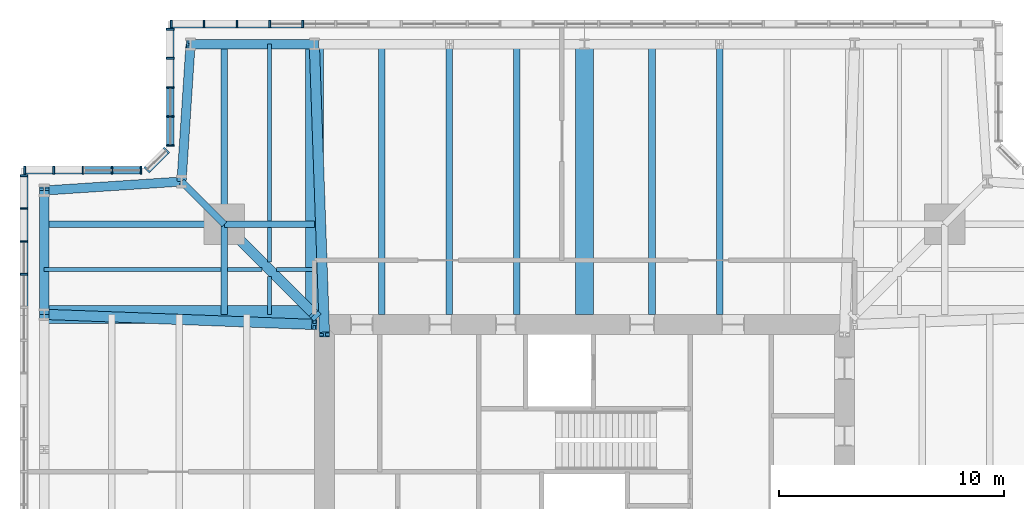
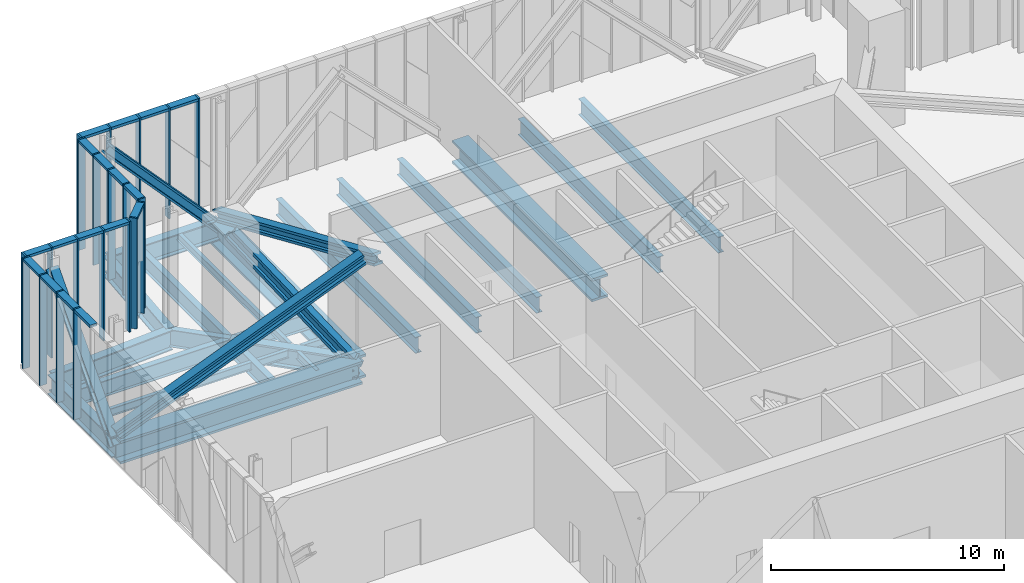
# One storey, part 6 of 18: 43 members, 24 beams, 5 elements without a shape of their own.
"""IFC4 building model written with IfcOpenShell, lengths in metres."""

from ifc_helpers import new_model, si_unit, direction, frame, origin, origin_2d, place, context, subcontext, project, spatial, rectangle, i_section, extrude, material, material_profile, profile_set, type_object, element, aggregate, save


model = new_model("IFC4")

# Units and contexts
model_context = context("Model", 3, precision=1e-05, world=origin(), true_north=direction((0.0, 1.0)))
body_context = subcontext(model_context, "Body", "Model", "MODEL_VIEW")
ifc_project = project(units=[si_unit("LENGTHUNIT", "METRE"), si_unit("AREAUNIT", "SQUARE_METRE"), si_unit("VOLUMEUNIT", "CUBIC_METRE"), si_unit("PLANEANGLEUNIT", "RADIAN"), si_unit("MASSUNIT", "GRAM", prefix="KILO")], contexts=[model_context])

# Site, building, storey
site_placement = place(None, origin())
site = spatial("IfcSite", under=ifc_project, at=site_placement, CompositionType="ELEMENT")
building_placement = place(site_placement, origin())
building = spatial("IfcBuilding", under=site, at=building_placement, Name="Fenwick Lantern Interchange", CompositionType="ELEMENT")
storey_placement = place(building_placement, frame((0.0, 0.0, 301.800048828125)))
storey = spatial("IfcBuildingStorey", under=building, at=storey_placement, Name="L73", CompositionType="ELEMENT", Elevation=301.800048828125)

# Members
ifc_material_1 = material(Name="Steel ASTM A992 Grade 50", Category="steel")
ifc_material_profile_1 = material_profile(ifc_material_1, i_section(OverallWidth=0.431884765625, OverallDepth=0.497802734375, WebThickness=0.0556640625, FlangeThickness=0.0888671875, at=origin_2d()), Name="W14X500")
ifc_profile_set_1 = profile_set([ifc_material_profile_1], Name="Steel ASTM A992 Grade 50")
member_type_1 = type_object("IfcMemberType", Name="BELT TRUSS DIAGONAL W14X500", PredefinedType="BRACE", material=ifc_profile_set_1)
for number, where, z_axis, x_axis, name in (
    (1, (13.0, 49.0, -0.650146484375), (-0.675724628517, 0.0, 0.737154140201), (0.0, -1.0, 0.0), "L73/BT/N/D6"),
    (2, (1.0, 37.0, -0.650146484375), (0.0, 0.675724628517, 0.737154140201), (-1.0, 0.0, 0.0), "L73/BT/W/D1"),
):
    element("IfcMember", number, at=place(storey_placement, frame(where, z_axis=z_axis, x_axis=x_axis)), inside=storey, type_object=member_type_1, Name=name, PredefinedType="BRACE", context=body_context, shape_type="SweptSolid", body=[
        extrude(i_section(OverallWidth=0.431884765625, OverallDepth=0.497802734375, WebThickness=0.0556640625, FlangeThickness=0.0888671875, at=origin_2d()), origin(), (0.0, 0.0, 1.0), 8.139404296875),
    ])

# Beams
ifc_material_profile_2 = material_profile(ifc_material_1, i_section(OverallWidth=0.408935546875, OverallDepth=1.04150390625, WebThickness=0.031005859375, FlangeThickness=0.055908203125, at=origin_2d()), Name="W40X397")
ifc_profile_set_2 = profile_set([ifc_material_profile_2], Name="Steel ASTM A992 Grade 50")
beam_type_1 = type_object("IfcBeamType", Name="EDGE BEAM W40X397", PredefinedType="SPANDREL", material=ifc_profile_set_2)
beam_1_placement = place(storey_placement, frame((13.0, 49.0, -0.720703125), z_axis=(-1.0, 0.0, 0.0), x_axis=(0.0, -1.0, 0.0)))
element("IfcBeam", 3, at=beam_1_placement, inside=storey, type_object=beam_type_1, Name="L73/FR/N/EB4", PredefinedType="SPANDREL", context=body_context, shape_type="SweptSolid", body=[
    extrude(i_section(OverallWidth=0.408935546875, OverallDepth=1.04150390625, WebThickness=0.031005859375, FlangeThickness=0.055908203125, at=origin_2d()), origin(), (0.0, 0.0, 1.0), 5.5),
])
for number, where, z_axis, x_axis, name in (
    (4, (7.5, 49.0, -0.720703125), (-0.065416293237, -0.997858060337, 0.0), (0.997858060337, -0.065416293237, 0.0), "L73/FR/N/EBR1"),
    (5, (7.10009765625, 42.89990234375, -0.720703125), (-0.997858060337, -0.065416293237, 0.0), (0.065416293237, -0.997858060337, 0.0), "L73/FR/N/EBR2"),
):
    element("IfcBeam", number, at=place(storey_placement, frame(where, z_axis=z_axis, x_axis=x_axis)), inside=storey, type_object=beam_type_1, Name=name, PredefinedType="SPANDREL", context=body_context, shape_type="SweptSolid", body=[
        extrude(i_section(OverallWidth=0.408935546875, OverallDepth=1.04150390625, WebThickness=0.031005859375, FlangeThickness=0.055908203125, at=origin_2d()), origin(), (0.0, 0.0, 1.0), 6.11328125),
    ])
beam_2_placement = place(storey_placement, frame((1.0, 42.5, -0.720703125), z_axis=(0.0, -1.0, 0.0), x_axis=(1.0, 0.0, 0.0)))
element("IfcBeam", 6, at=beam_2_placement, inside=storey, type_object=beam_type_1, Name="L73/FR/W/EB1", PredefinedType="SPANDREL", context=body_context, shape_type="SweptSolid", body=[
    extrude(i_section(OverallWidth=0.408935546875, OverallDepth=1.04150390625, WebThickness=0.031005859375, FlangeThickness=0.055908203125, at=origin_2d()), origin(), (0.0, 0.0, 1.0), 5.5),
])
ifc_material_profile_3 = material_profile(ifc_material_1, i_section(OverallWidth=0.2919921875, OverallDepth=0.845703125, WebThickness=0.015380859375, FlangeThickness=0.0244140625, at=origin_2d()), Name="W33X141")
ifc_profile_set_3 = profile_set([ifc_material_profile_3], Name="Steel ASTM A992 Grade 50")
beam_type_2 = type_object("IfcBeamType", Name="FLOOR BEAM W33X141", PredefinedType="BEAM", material=ifc_profile_set_3)
for number, where, z_axis, x_axis, name in (
    (7, (31.0, 49.0, -0.623046875), (0.0, -1.0, 0.0), (1.0, 0.0, 0.0), "L73/FR/N/R03"),
    (8, (28.0, 49.0, -0.623046875), (0.0, -1.0, 0.0), (1.0, 0.0, 0.0), "L73/FR/N/R04"),
    (9, (22.0, 49.0, -0.623046875), (0.0, -1.0, 0.0), (1.0, 0.0, 0.0), "L73/FR/N/R06"),
    (10, (19.0, 49.0, -0.623046875), (0.0, -1.0, 0.0), (1.0, 0.0, 0.0), "L73/FR/N/R07"),
    (11, (16.0, 49.0, -0.623046875), (0.0, -1.0, 0.0), (1.0, 0.0, 0.0), "L73/FR/N/R08"),
):
    element("IfcBeam", number, at=place(storey_placement, frame(where, z_axis=z_axis, x_axis=x_axis)), inside=storey, type_object=beam_type_2, Name=name, PredefinedType="BEAM", context=body_context, shape_type="SweptSolid", body=[
        extrude(i_section(OverallWidth=0.2919921875, OverallDepth=0.845703125, WebThickness=0.015380859375, FlangeThickness=0.0244140625, at=origin_2d()), origin(), (0.0, 0.0, 1.0), 12.0),
    ])
ifc_material_profile_4 = material_profile(ifc_material_1, i_section(OverallWidth=0.177734375, OverallDepth=0.406494140625, WebThickness=0.0078125, FlangeThickness=0.012939453125, at=origin_2d()), Name="W16X40")
ifc_profile_set_4 = profile_set([ifc_material_profile_4], Name="Steel ASTM A992 Grade 50")
beam_type_3 = type_object("IfcBeamType", Name="INFILL BEAM W16X40", PredefinedType="JOIST", material=ifc_profile_set_4)
beam_3_placement = place(storey_placement, frame((1.0, 39.0, -0.4033203125), z_axis=(1.0, 0.0, 0.0), x_axis=(0.0, 1.0, 0.0)))
element("IfcBeam", 12, at=beam_3_placement, inside=storey, type_object=beam_type_3, Name="L73/FR/W/J1", PredefinedType="JOIST", context=body_context, shape_type="SweptSolid", body=[
    extrude(i_section(OverallWidth=0.177734375, OverallDepth=0.406494140625, WebThickness=0.0078125, FlangeThickness=0.012939453125, at=origin_2d()), origin(), (0.0, 0.0, 1.0), 7.85400390625),
])
beam_4_placement = place(storey_placement, frame((9.14599609375, 39.0, -0.4033203125), z_axis=(1.0, 0.0, 0.0), x_axis=(0.0, 1.0, 0.0)))
element("IfcBeam", 13, at=beam_4_placement, inside=storey, type_object=beam_type_3, Name="L73/FR/W/J2", PredefinedType="JOIST", context=body_context, shape_type="SweptSolid", body=[
    extrude(i_section(OverallWidth=0.177734375, OverallDepth=0.406494140625, WebThickness=0.0078125, FlangeThickness=0.012939453125, at=origin_2d()), origin(), (0.0, 0.0, 1.0), 1.537841796875),
])
beam_5_placement = place(storey_placement, frame((11.316162109375, 39.0, -0.4033203125), z_axis=(1.0, 0.0, 0.0), x_axis=(0.0, 1.0, 0.0)))
element("IfcBeam", 14, at=beam_5_placement, inside=storey, type_object=beam_type_3, Name="L73/FR/W/J6", PredefinedType="JOIST", context=body_context, shape_type="SweptSolid", body=[
    extrude(i_section(OverallWidth=0.177734375, OverallDepth=0.406494140625, WebThickness=0.0078125, FlangeThickness=0.012939453125, at=origin_2d()), origin(), (0.0, 0.0, 1.0), 1.683837890625),
])
beam_6_placement = place(storey_placement, frame((11.0, 49.0, -0.4033203125), z_axis=(0.0, -1.0, 0.0), x_axis=(1.0, 0.0, 0.0)))
element("IfcBeam", 15, at=beam_6_placement, inside=storey, type_object=beam_type_3, Name="L73/FR/W/J3", PredefinedType="JOIST", context=body_context, shape_type="SweptSolid", body=[
    extrude(i_section(OverallWidth=0.177734375, OverallDepth=0.406494140625, WebThickness=0.0078125, FlangeThickness=0.012939453125, at=origin_2d()), origin(), (0.0, 0.0, 1.0), 7.85400390625),
])
beam_7_placement = place(storey_placement, frame((11.0, 40.85400390625, -0.4033203125), z_axis=(0.0, -1.0, 0.0), x_axis=(1.0, 0.0, 0.0)))
element("IfcBeam", 16, at=beam_7_placement, inside=storey, type_object=beam_type_3, Name="L73/FR/W/J4", PredefinedType="JOIST", context=body_context, shape_type="SweptSolid", body=[
    extrude(i_section(OverallWidth=0.177734375, OverallDepth=0.406494140625, WebThickness=0.0078125, FlangeThickness=0.012939453125, at=origin_2d()), origin(), (0.0, 0.0, 1.0), 1.537841796875),
])
beam_8_placement = place(storey_placement, frame((11.0, 38.683837890625, -0.4033203125), z_axis=(0.0, -1.0, 0.0), x_axis=(1.0, 0.0, 0.0)))
element("IfcBeam", 17, at=beam_8_placement, inside=storey, type_object=beam_type_3, Name="L73/FR/W/J5", PredefinedType="JOIST", context=body_context, shape_type="SweptSolid", body=[
    extrude(i_section(OverallWidth=0.177734375, OverallDepth=0.406494140625, WebThickness=0.0078125, FlangeThickness=0.012939453125, at=origin_2d()), origin(), (0.0, 0.0, 1.0), 1.683837890625),
])

# Curtain wall, members
ifc_material_2 = material(Name="Aluminium curtain wall frame", Category="aluminium")
curtain_wall_type = type_object("IfcCurtainWallType", Name="LANTERN GLAZING", PredefinedType="USERDEFINED", material=ifc_material_2)
curtain_wall_1_placement = place(storey_placement, origin())
curtain_wall_1 = element("IfcCurtainWall", 18, at=curtain_wall_1_placement, inside=storey, type_object=curtain_wall_type, Name="Lantern glazing 09", ObjectType="LANTERN GLAZING", PredefinedType="USERDEFINED")
ifc_material_3 = material(Name="Aluminium extrusion", Category="aluminium")
ifc_material_profile_5 = material_profile(ifc_material_3, rectangle(XDim=0.35009765625, YDim=0.080078125, at=origin_2d()), Name="LANTERN GLAZING MULLION 80 X 350")
ifc_profile_set_5 = profile_set([ifc_material_profile_5], Name="Aluminium extrusion")
member_type_2 = type_object("IfcMemberType", Name="LANTERN GLAZING MULLION 80 X 350", PredefinedType="MULLION", material=ifc_profile_set_5)
member_1_placement = place(storey_placement, frame((12.483154296875, 49.89990234375, 0.0), z_axis=(0.0, 0.0, 1.0), x_axis=(0.0, -1.0, 0.0)))
member_1 = element("IfcMember", 19, at=member_1_placement, type_object=member_type_2, Name="L73/CW/09/M21", PredefinedType="MULLION", context=body_context, shape_type="SweptSolid", body=[
    extrude(rectangle(XDim=0.35009765625, YDim=0.080078125, at=origin_2d()), origin(), (0.0, 0.0, 1.0), 5.800048828125),
])
member_2_placement = place(storey_placement, frame((11.0224609375, 49.89990234375, 0.0), z_axis=(0.0, 0.0, 1.0), x_axis=(0.0, -1.0, 0.0)))
member_2 = element("IfcMember", 20, at=member_2_placement, type_object=member_type_2, Name="L73/CW/09/M22", PredefinedType="MULLION", context=body_context, shape_type="SweptSolid", body=[
    extrude(rectangle(XDim=0.35009765625, YDim=0.080078125, at=origin_2d()), origin(), (0.0, 0.0, 1.0), 5.800048828125),
])
member_3_placement = place(storey_placement, frame((9.5615234375, 49.89990234375, 0.0), z_axis=(0.0, 0.0, 1.0), x_axis=(0.0, -1.0, 0.0)))
member_3 = element("IfcMember", 21, at=member_3_placement, type_object=member_type_2, Name="L73/CW/09/M23", PredefinedType="MULLION", context=body_context, shape_type="SweptSolid", body=[
    extrude(rectangle(XDim=0.35009765625, YDim=0.080078125, at=origin_2d()), origin(), (0.0, 0.0, 1.0), 5.800048828125),
])
member_4_placement = place(storey_placement, frame((8.100830078125, 49.89990234375, 0.0), z_axis=(0.0, 0.0, 1.0), x_axis=(0.0, -1.0, 0.0)))
member_4 = element("IfcMember", 22, at=member_4_placement, type_object=member_type_2, Name="L73/CW/09/M24", PredefinedType="MULLION", context=body_context, shape_type="SweptSolid", body=[
    extrude(rectangle(XDim=0.35009765625, YDim=0.080078125, at=origin_2d()), origin(), (0.0, 0.0, 1.0), 5.800048828125),
])
member_5_placement = place(storey_placement, frame((6.639892578125, 49.89990234375, 0.0), z_axis=(0.0, 0.0, 1.0), x_axis=(0.0, -1.0, 0.0)))
member_5 = element("IfcMember", 23, at=member_5_placement, type_object=member_type_2, Name="L73/CW/09/M25", PredefinedType="MULLION", context=body_context, shape_type="SweptSolid", body=[
    extrude(rectangle(XDim=0.35009765625, YDim=0.080078125, at=origin_2d()), origin(), (0.0, 0.0, 1.0), 5.800048828125),
])

curtain_wall_2_placement = place(storey_placement, origin())
curtain_wall_2 = element("IfcCurtainWall", 24, at=curtain_wall_2_placement, inside=storey, type_object=curtain_wall_type, Name="Lantern glazing 10", ObjectType="LANTERN GLAZING", PredefinedType="USERDEFINED")
member_6_placement = place(storey_placement, frame((6.60009765625, 49.659912109375, 0.0), z_axis=(0.0, 0.0, 1.0), x_axis=(1.0, 0.0, 0.0)))
member_6 = element("IfcMember", 25, at=member_6_placement, type_object=member_type_2, Name="L73/CW/10/M00", PredefinedType="MULLION", context=body_context, shape_type="SweptSolid", body=[
    extrude(rectangle(XDim=0.35009765625, YDim=0.080078125, at=origin_2d()), origin(), (0.0, 0.0, 1.0), 5.800048828125),
])
member_7_placement = place(storey_placement, frame((6.60009765625, 48.36962890625, 0.0), z_axis=(0.0, 0.0, 1.0), x_axis=(1.0, 0.0, 0.0)))
member_7 = element("IfcMember", 26, at=member_7_placement, type_object=member_type_2, Name="L73/CW/10/M01", PredefinedType="MULLION", context=body_context, shape_type="SweptSolid", body=[
    extrude(rectangle(XDim=0.35009765625, YDim=0.080078125, at=origin_2d()), origin(), (0.0, 0.0, 1.0), 5.800048828125),
])
member_8_placement = place(storey_placement, frame((6.60009765625, 47.079345703125, 0.0), z_axis=(0.0, 0.0, 1.0), x_axis=(1.0, 0.0, 0.0)))
member_8 = element("IfcMember", 27, at=member_8_placement, type_object=member_type_2, Name="L73/CW/10/M02", PredefinedType="MULLION", context=body_context, shape_type="SweptSolid", body=[
    extrude(rectangle(XDim=0.35009765625, YDim=0.080078125, at=origin_2d()), origin(), (0.0, 0.0, 1.0), 5.800048828125),
])
member_9_placement = place(storey_placement, frame((6.60009765625, 45.788818359375, 0.0), z_axis=(0.0, 0.0, 1.0), x_axis=(1.0, 0.0, 0.0)))
member_9 = element("IfcMember", 28, at=member_9_placement, type_object=member_type_2, Name="L73/CW/10/M03", PredefinedType="MULLION", context=body_context, shape_type="SweptSolid", body=[
    extrude(rectangle(XDim=0.35009765625, YDim=0.080078125, at=origin_2d()), origin(), (0.0, 0.0, 1.0), 5.800048828125),
])
member_10_placement = place(storey_placement, frame((6.60009765625, 44.49853515625, 0.0), z_axis=(0.0, 0.0, 1.0), x_axis=(1.0, 0.0, 0.0)))
member_10 = element("IfcMember", 29, at=member_10_placement, type_object=member_type_2, Name="L73/CW/10/M04", PredefinedType="MULLION", context=body_context, shape_type="SweptSolid", body=[
    extrude(rectangle(XDim=0.35009765625, YDim=0.080078125, at=origin_2d()), origin(), (0.0, 0.0, 1.0), 5.800048828125),
])

curtain_wall_3_placement = place(storey_placement, origin())
curtain_wall_3 = element("IfcCurtainWall", 30, at=curtain_wall_3_placement, inside=storey, type_object=curtain_wall_type, Name="Lantern glazing 11", ObjectType="LANTERN GLAZING", PredefinedType="USERDEFINED")
member_11_placement = place(storey_placement, frame((6.43017578125, 44.288818359375, 0.0), z_axis=(0.0, 0.0, 1.0), x_axis=(0.707106781187, -0.707106781187, 0.0)))
member_11 = element("IfcMember", 31, at=member_11_placement, type_object=member_type_2, Name="L73/CW/11/M00", PredefinedType="MULLION", context=body_context, shape_type="SweptSolid", body=[
    extrude(rectangle(XDim=0.35009765625, YDim=0.080078125, at=origin_2d()), origin(), (0.0, 0.0, 1.0), 5.800048828125),
])
member_12_placement = place(storey_placement, frame((5.56982421875, 43.42822265625, 0.0), z_axis=(0.0, 0.0, 1.0), x_axis=(0.707106781187, -0.707106781187, 0.0)))
member_12 = element("IfcMember", 32, at=member_12_placement, type_object=member_type_2, Name="L73/CW/11/M01", PredefinedType="MULLION", context=body_context, shape_type="SweptSolid", body=[
    extrude(rectangle(XDim=0.35009765625, YDim=0.080078125, at=origin_2d()), origin(), (0.0, 0.0, 1.0), 5.800048828125),
])

curtain_wall_4_placement = place(storey_placement, origin())
curtain_wall_4 = element("IfcCurtainWall", 33, at=curtain_wall_4_placement, inside=storey, type_object=curtain_wall_type, Name="Lantern glazing 12", ObjectType="LANTERN GLAZING", PredefinedType="USERDEFINED")
member_13_placement = place(storey_placement, frame((5.301513671875, 43.39990234375, 0.0), z_axis=(0.0, 0.0, 1.0), x_axis=(0.0, -1.0, 0.0)))
member_13 = element("IfcMember", 34, at=member_13_placement, type_object=member_type_2, Name="L73/CW/12/M00", PredefinedType="MULLION", context=body_context, shape_type="SweptSolid", body=[
    extrude(rectangle(XDim=0.35009765625, YDim=0.080078125, at=origin_2d()), origin(), (0.0, 0.0, 1.0), 5.800048828125),
])
member_14_placement = place(storey_placement, frame((4.010986328125, 43.39990234375, 0.0), z_axis=(0.0, 0.0, 1.0), x_axis=(0.0, -1.0, 0.0)))
member_14 = element("IfcMember", 35, at=member_14_placement, type_object=member_type_2, Name="L73/CW/12/M01", PredefinedType="MULLION", context=body_context, shape_type="SweptSolid", body=[
    extrude(rectangle(XDim=0.35009765625, YDim=0.080078125, at=origin_2d()), origin(), (0.0, 0.0, 1.0), 5.800048828125),
])
member_15_placement = place(storey_placement, frame((2.720703125, 43.39990234375, 0.0), z_axis=(0.0, 0.0, 1.0), x_axis=(0.0, -1.0, 0.0)))
member_15 = element("IfcMember", 36, at=member_15_placement, type_object=member_type_2, Name="L73/CW/12/M02", PredefinedType="MULLION", context=body_context, shape_type="SweptSolid", body=[
    extrude(rectangle(XDim=0.35009765625, YDim=0.080078125, at=origin_2d()), origin(), (0.0, 0.0, 1.0), 5.800048828125),
])
member_16_placement = place(storey_placement, frame((1.430419921875, 43.39990234375, 0.0), z_axis=(0.0, 0.0, 1.0), x_axis=(0.0, -1.0, 0.0)))
member_16 = element("IfcMember", 37, at=member_16_placement, type_object=member_type_2, Name="L73/CW/12/M03", PredefinedType="MULLION", context=body_context, shape_type="SweptSolid", body=[
    extrude(rectangle(XDim=0.35009765625, YDim=0.080078125, at=origin_2d()), origin(), (0.0, 0.0, 1.0), 5.800048828125),
])
member_17_placement = place(storey_placement, frame((0.139892578125, 43.39990234375, 0.0), z_axis=(0.0, 0.0, 1.0), x_axis=(0.0, -1.0, 0.0)))
member_17 = element("IfcMember", 38, at=member_17_placement, type_object=member_type_2, Name="L73/CW/12/M04", PredefinedType="MULLION", context=body_context, shape_type="SweptSolid", body=[
    extrude(rectangle(XDim=0.35009765625, YDim=0.080078125, at=origin_2d()), origin(), (0.0, 0.0, 1.0), 5.800048828125),
])

curtain_wall_5_placement = place(storey_placement, origin())
curtain_wall_5 = element("IfcCurtainWall", 39, at=curtain_wall_5_placement, inside=storey, type_object=curtain_wall_type, Name="Lantern glazing 13", ObjectType="LANTERN GLAZING", PredefinedType="USERDEFINED")
member_18_placement = place(storey_placement, frame((0.10009765625, 43.159912109375, 0.0), z_axis=(0.0, 0.0, 1.0), x_axis=(1.0, 0.0, 0.0)))
member_18 = element("IfcMember", 40, at=member_18_placement, type_object=member_type_2, Name="L73/CW/13/M00", PredefinedType="MULLION", context=body_context, shape_type="SweptSolid", body=[
    extrude(rectangle(XDim=0.35009765625, YDim=0.080078125, at=origin_2d()), origin(), (0.0, 0.0, 1.0), 5.800048828125),
])
member_19_placement = place(storey_placement, frame((0.10009765625, 41.69921875, 0.0), z_axis=(0.0, 0.0, 1.0), x_axis=(1.0, 0.0, 0.0)))
member_19 = element("IfcMember", 41, at=member_19_placement, type_object=member_type_2, Name="L73/CW/13/M01", PredefinedType="MULLION", context=body_context, shape_type="SweptSolid", body=[
    extrude(rectangle(XDim=0.35009765625, YDim=0.080078125, at=origin_2d()), origin(), (0.0, 0.0, 1.0), 5.800048828125),
])
member_20_placement = place(storey_placement, frame((0.10009765625, 40.23828125, 0.0), z_axis=(0.0, 0.0, 1.0), x_axis=(1.0, 0.0, 0.0)))
member_20 = element("IfcMember", 42, at=member_20_placement, type_object=member_type_2, Name="L73/CW/13/M02", PredefinedType="MULLION", context=body_context, shape_type="SweptSolid", body=[
    extrude(rectangle(XDim=0.35009765625, YDim=0.080078125, at=origin_2d()), origin(), (0.0, 0.0, 1.0), 5.800048828125),
])
member_21_placement = place(storey_placement, frame((0.10009765625, 38.777587890625, 0.0), z_axis=(0.0, 0.0, 1.0), x_axis=(1.0, 0.0, 0.0)))
member_21 = element("IfcMember", 43, at=member_21_placement, type_object=member_type_2, Name="L73/CW/13/M03", PredefinedType="MULLION", context=body_context, shape_type="SweptSolid", body=[
    extrude(rectangle(XDim=0.35009765625, YDim=0.080078125, at=origin_2d()), origin(), (0.0, 0.0, 1.0), 5.800048828125),
])

# Member
ifc_material_profile_6 = material_profile(ifc_material_3, rectangle(XDim=0.35009765625, YDim=0.139892578125, at=origin_2d()), Name="LANTERN GLAZING TRANSOM 140 X 350")
ifc_profile_set_6 = profile_set([ifc_material_profile_6], Name="Aluminium extrusion")
member_type_3 = type_object("IfcMemberType", Name="LANTERN GLAZING TRANSOM 140 X 350", PredefinedType="MULLION", material=ifc_profile_set_6)
member_22_placement = place(storey_placement, frame((12.443115234375, 49.89990234375, 5.72998046875), z_axis=(-1.0, 0.0, 0.0), x_axis=(0.0, -1.0, 0.0)))
member_22 = element("IfcMember", 44, at=member_22_placement, type_object=member_type_3, Name="L73/CW/09/T21", PredefinedType="MULLION", context=body_context, shape_type="SweptSolid", body=[
    extrude(rectangle(XDim=0.35009765625, YDim=0.139892578125, at=origin_2d()), origin(), (0.0, 0.0, 1.0), 1.380615234375),
])

member_23_placement = place(storey_placement, frame((10.982421875, 49.89990234375, 5.72998046875), z_axis=(-1.0, 0.0, 0.0), x_axis=(0.0, -1.0, 0.0)))
member_23 = element("IfcMember", 45, at=member_23_placement, type_object=member_type_3, Name="L73/CW/09/T22", PredefinedType="MULLION", context=body_context, shape_type="SweptSolid", body=[
    extrude(rectangle(XDim=0.35009765625, YDim=0.139892578125, at=origin_2d()), origin(), (0.0, 0.0, 1.0), 1.380859375),
])

member_24_placement = place(storey_placement, frame((9.521484375, 49.89990234375, 5.72998046875), z_axis=(-1.0, 0.0, 0.0), x_axis=(0.0, -1.0, 0.0)))
member_24 = element("IfcMember", 46, at=member_24_placement, type_object=member_type_3, Name="L73/CW/09/T23", PredefinedType="MULLION", context=body_context, shape_type="SweptSolid", body=[
    extrude(rectangle(XDim=0.35009765625, YDim=0.139892578125, at=origin_2d()), origin(), (0.0, 0.0, 1.0), 1.380615234375),
])

member_25_placement = place(storey_placement, frame((8.060791015625, 49.89990234375, 5.72998046875), z_axis=(-1.0, 0.0, 0.0), x_axis=(0.0, -1.0, 0.0)))
member_25 = element("IfcMember", 47, at=member_25_placement, type_object=member_type_3, Name="L73/CW/09/T24", PredefinedType="MULLION", context=body_context, shape_type="SweptSolid", body=[
    extrude(rectangle(XDim=0.35009765625, YDim=0.139892578125, at=origin_2d()), origin(), (0.0, 0.0, 1.0), 1.380859375),
])

aggregate(curtain_wall_1, [member_1, member_2, member_3, member_4, member_5, member_22, member_23, member_24, member_25])

member_26_placement = place(storey_placement, frame((6.60009765625, 49.6201171875, 5.72998046875), z_axis=(0.0, -1.0, 0.0), x_axis=(1.0, 0.0, 0.0)))
member_26 = element("IfcMember", 48, at=member_26_placement, type_object=member_type_3, Name="L73/CW/10/T00", PredefinedType="MULLION", context=body_context, shape_type="SweptSolid", body=[
    extrude(rectangle(XDim=0.35009765625, YDim=0.139892578125, at=origin_2d()), origin(), (0.0, 0.0, 1.0), 1.21044921875),
])

member_27_placement = place(storey_placement, frame((6.60009765625, 48.32958984375, 5.72998046875), z_axis=(0.0, -1.0, 0.0), x_axis=(1.0, 0.0, 0.0)))
member_27 = element("IfcMember", 49, at=member_27_placement, type_object=member_type_3, Name="L73/CW/10/T01", PredefinedType="MULLION", context=body_context, shape_type="SweptSolid", body=[
    extrude(rectangle(XDim=0.35009765625, YDim=0.139892578125, at=origin_2d()), origin(), (0.0, 0.0, 1.0), 1.210205078125),
])

member_28_placement = place(storey_placement, frame((6.60009765625, 47.039306640625, 5.72998046875), z_axis=(0.0, -1.0, 0.0), x_axis=(1.0, 0.0, 0.0)))
member_28 = element("IfcMember", 50, at=member_28_placement, type_object=member_type_3, Name="L73/CW/10/T02", PredefinedType="MULLION", context=body_context, shape_type="SweptSolid", body=[
    extrude(rectangle(XDim=0.35009765625, YDim=0.139892578125, at=origin_2d()), origin(), (0.0, 0.0, 1.0), 1.21044921875),
])

member_29_placement = place(storey_placement, frame((6.60009765625, 45.7490234375, 5.72998046875), z_axis=(0.0, -1.0, 0.0), x_axis=(1.0, 0.0, 0.0)))
member_29 = element("IfcMember", 51, at=member_29_placement, type_object=member_type_3, Name="L73/CW/10/T03", PredefinedType="MULLION", context=body_context, shape_type="SweptSolid", body=[
    extrude(rectangle(XDim=0.35009765625, YDim=0.139892578125, at=origin_2d()), origin(), (0.0, 0.0, 1.0), 1.21044921875),
])

aggregate(curtain_wall_2, [member_6, member_7, member_8, member_9, member_10, member_26, member_27, member_28, member_29])

member_30_placement = place(storey_placement, frame((6.402099609375, 44.260498046875, 5.72998046875), z_axis=(-0.707214121873, -0.706999424203, 0.0), x_axis=(0.706999424203, -0.707214121873, 0.0)))
member_30 = element("IfcMember", 52, at=member_30_placement, type_object=member_type_3, Name="L73/CW/11/T00", PredefinedType="MULLION", context=body_context, shape_type="SweptSolid", body=[
    extrude(rectangle(XDim=0.35009765625, YDim=0.139892578125, at=origin_2d()), origin(), (0.0, 0.0, 1.0), 1.13720703125),
])

aggregate(curtain_wall_3, [member_11, member_12, member_30])

member_31_placement = place(storey_placement, frame((5.261474609375, 43.39990234375, 5.72998046875), z_axis=(-1.0, 0.0, 0.0), x_axis=(0.0, -1.0, 0.0)))
member_31 = element("IfcMember", 53, at=member_31_placement, type_object=member_type_3, Name="L73/CW/12/T00", PredefinedType="MULLION", context=body_context, shape_type="SweptSolid", body=[
    extrude(rectangle(XDim=0.35009765625, YDim=0.139892578125, at=origin_2d()), origin(), (0.0, 0.0, 1.0), 1.21044921875),
])

member_32_placement = place(storey_placement, frame((3.970947265625, 43.39990234375, 5.72998046875), z_axis=(-1.0, 0.0, 0.0), x_axis=(0.0, -1.0, 0.0)))
member_32 = element("IfcMember", 54, at=member_32_placement, type_object=member_type_3, Name="L73/CW/12/T01", PredefinedType="MULLION", context=body_context, shape_type="SweptSolid", body=[
    extrude(rectangle(XDim=0.35009765625, YDim=0.139892578125, at=origin_2d()), origin(), (0.0, 0.0, 1.0), 1.210205078125),
])

member_33_placement = place(storey_placement, frame((2.6806640625, 43.39990234375, 5.72998046875), z_axis=(-1.0, 0.0, 0.0), x_axis=(0.0, -1.0, 0.0)))
member_33 = element("IfcMember", 55, at=member_33_placement, type_object=member_type_3, Name="L73/CW/12/T02", PredefinedType="MULLION", context=body_context, shape_type="SweptSolid", body=[
    extrude(rectangle(XDim=0.35009765625, YDim=0.139892578125, at=origin_2d()), origin(), (0.0, 0.0, 1.0), 1.210205078125),
])

member_34_placement = place(storey_placement, frame((1.390380859375, 43.39990234375, 5.72998046875), z_axis=(-1.0, 0.0, 0.0), x_axis=(0.0, -1.0, 0.0)))
member_34 = element("IfcMember", 56, at=member_34_placement, type_object=member_type_3, Name="L73/CW/12/T03", PredefinedType="MULLION", context=body_context, shape_type="SweptSolid", body=[
    extrude(rectangle(XDim=0.35009765625, YDim=0.139892578125, at=origin_2d()), origin(), (0.0, 0.0, 1.0), 1.21044921875),
])

aggregate(curtain_wall_4, [member_13, member_14, member_15, member_16, member_17, member_31, member_32, member_33, member_34])

member_35_placement = place(storey_placement, frame((0.10009765625, 43.1201171875, 5.72998046875), z_axis=(0.0, -1.0, 0.0), x_axis=(1.0, 0.0, 0.0)))
member_35 = element("IfcMember", 57, at=member_35_placement, type_object=member_type_3, Name="L73/CW/13/T00", PredefinedType="MULLION", context=body_context, shape_type="SweptSolid", body=[
    extrude(rectangle(XDim=0.35009765625, YDim=0.139892578125, at=origin_2d()), origin(), (0.0, 0.0, 1.0), 1.380859375),
])

member_36_placement = place(storey_placement, frame((0.10009765625, 41.6591796875, 5.72998046875), z_axis=(0.0, -1.0, 0.0), x_axis=(1.0, 0.0, 0.0)))
member_36 = element("IfcMember", 58, at=member_36_placement, type_object=member_type_3, Name="L73/CW/13/T01", PredefinedType="MULLION", context=body_context, shape_type="SweptSolid", body=[
    extrude(rectangle(XDim=0.35009765625, YDim=0.139892578125, at=origin_2d()), origin(), (0.0, 0.0, 1.0), 1.380859375),
])

member_37_placement = place(storey_placement, frame((0.10009765625, 40.198486328125, 5.72998046875), z_axis=(0.0, -1.0, 0.0), x_axis=(1.0, 0.0, 0.0)))
member_37 = element("IfcMember", 59, at=member_37_placement, type_object=member_type_3, Name="L73/CW/13/T02", PredefinedType="MULLION", context=body_context, shape_type="SweptSolid", body=[
    extrude(rectangle(XDim=0.35009765625, YDim=0.139892578125, at=origin_2d()), origin(), (0.0, 0.0, 1.0), 1.380859375),
])

member_38_placement = place(storey_placement, frame((0.10009765625, 38.737548828125, 5.72998046875), z_axis=(0.0, -1.0, 0.0), x_axis=(1.0, 0.0, 0.0)))
member_38 = element("IfcMember", 60, at=member_38_placement, type_object=member_type_3, Name="L73/CW/13/T03", PredefinedType="MULLION", context=body_context, shape_type="SweptSolid", body=[
    extrude(rectangle(XDim=0.35009765625, YDim=0.139892578125, at=origin_2d()), origin(), (0.0, 0.0, 1.0), 1.380859375),
])

aggregate(curtain_wall_5, [member_18, member_19, member_20, member_21, member_35, member_36, member_37, member_38])

# Beams
ifc_material_profile_7 = material_profile(ifc_material_1, i_section(OverallWidth=0.2919921875, OverallDepth=0.845703125, WebThickness=0.015380859375, FlangeThickness=0.0244140625, at=origin_2d()), Name="W33X141")
ifc_profile_set_7 = profile_set([ifc_material_profile_7], Name="Steel ASTM A992 Grade 50")
beam_type_4 = type_object("IfcBeamType", Name="MEGA COLUMN BEAM W33X141", PredefinedType="BEAM", material=ifc_profile_set_7)
for number, where, z_axis, x_axis, name in (
    (61, (9.0, 41.0, -0.623046875), (-1.0, 0.0, 0.0), (0.0, -1.0, 0.0), "L73/FR/W/MB1"),
    (62, (9.0, 41.0, -0.623046875), (0.0, 1.0, 0.0), (-1.0, 0.0, 0.0), "L73/FR/W/MB2"),
):
    element("IfcBeam", number, at=place(storey_placement, frame(where, z_axis=z_axis, x_axis=x_axis)), inside=storey, type_object=beam_type_4, Name=name, PredefinedType="BEAM", context=body_context, shape_type="SweptSolid", body=[
        extrude(i_section(OverallWidth=0.2919921875, OverallDepth=0.845703125, WebThickness=0.015380859375, FlangeThickness=0.0244140625, at=origin_2d()), origin(), (0.0, 0.0, 1.0), 8.0),
    ])
for number, where, z_axis, x_axis, name in (
    (63, (9.0, 41.0, -0.623046875), (0.0, -1.0, 0.0), (1.0, 0.0, 0.0), "L73/FR/W/MB3"),
    (64, (9.0, 41.0, -0.623046875), (1.0, 0.0, 0.0), (0.0, 1.0, 0.0), "L73/FR/W/MB4"),
):
    element("IfcBeam", number, at=place(storey_placement, frame(where, z_axis=z_axis, x_axis=x_axis)), inside=storey, type_object=beam_type_4, Name=name, PredefinedType="BEAM", context=body_context, shape_type="SweptSolid", body=[
        extrude(i_section(OverallWidth=0.2919921875, OverallDepth=0.845703125, WebThickness=0.015380859375, FlangeThickness=0.0244140625, at=origin_2d()), origin(), (0.0, 0.0, 1.0), 4.0),
    ])
ifc_material_4 = material(Name="Steel ASTM A572 Grade 42", Category="steel")
ifc_material_profile_8 = material_profile(ifc_material_4, i_section(OverallWidth=0.800048828125, OverallDepth=1.199951171875, WebThickness=0.06005859375, FlangeThickness=0.1201171875, at=origin_2d()), Name="BU1200X800")
ifc_profile_set_8 = profile_set([ifc_material_profile_8], Name="Steel ASTM A572 Grade 42")
beam_type_5 = type_object("IfcBeamType", Name="MOMENT-CONNECTED GIRDER BU1200X800", PredefinedType="BEAM", material=ifc_profile_set_8)
for number, where, z_axis, x_axis, name in (
    (65, (25.0, 49.0, -0.800048828125), (0.0, -1.0, 0.0), (1.0, 0.0, 0.0), "L73/FR/N/R05"),
    (66, (13.0, 49.0, -0.800048828125), (0.0, -1.0, 0.0), (1.0, 0.0, 0.0), "L73/FR/N/R09"),
    (67, (1.0, 37.0, -0.800048828125), (1.0, 0.0, 0.0), (0.0, 1.0, 0.0), "L73/FR/W/R01"),
):
    element("IfcBeam", number, at=place(storey_placement, frame(where, z_axis=z_axis, x_axis=x_axis)), inside=storey, type_object=beam_type_5, Name=name, PredefinedType="BEAM", context=body_context, shape_type="SweptSolid", body=[
        extrude(i_section(OverallWidth=0.800048828125, OverallDepth=1.199951171875, WebThickness=0.06005859375, FlangeThickness=0.1201171875, at=origin_2d()), origin(), (0.0, 0.0, 1.0), 12.0),
    ])
ifc_material_profile_9 = material_profile(ifc_material_1, i_section(OverallWidth=0.3046875, OverallDepth=0.911865234375, WebThickness=0.015869140625, FlangeThickness=0.02392578125, at=origin_2d()), Name="W36X150")
ifc_profile_set_9 = profile_set([ifc_material_profile_9], Name="Steel ASTM A992 Grade 50")
beam_type_6 = type_object("IfcBeamType", Name="NOTCH BEAM W36X150", PredefinedType="BEAM", material=ifc_profile_set_9)
beam_9_placement = place(storey_placement, frame((9.0, 41.0, -0.656005859375), z_axis=(-0.707106781187, 0.707106781187, 0.0), x_axis=(-0.707106781187, -0.707106781187, 0.0)))
element("IfcBeam", 68, at=beam_9_placement, inside=storey, type_object=beam_type_6, Name="L73/FR/W/TG", PredefinedType="BEAM", context=body_context, shape_type="SweptSolid", body=[
    extrude(i_section(OverallWidth=0.3046875, OverallDepth=0.911865234375, WebThickness=0.015869140625, FlangeThickness=0.02392578125, at=origin_2d()), origin(), (0.0, 0.0, 1.0), 2.686767578125),
])
ifc_material_profile_10 = material_profile(ifc_material_1, i_section(OverallWidth=0.447021484375, OverallDepth=1.0439453125, WebThickness=0.050048828125, FlangeThickness=0.08984375, at=origin_2d()), Name="W36X652")
ifc_profile_set_10 = profile_set([ifc_material_profile_10], Name="Steel ASTM A992 Grade 50")
beam_type_7 = type_object("IfcBeamType", Name="OUTRIGGER CHORD W36X652", PredefinedType="BEAM", material=ifc_profile_set_10)
beam_10_placement = place(storey_placement, frame((13.0, 37.0, -0.721923828125), z_axis=(-0.707106781187, 0.707106781187, 0.0), x_axis=(-0.707106781187, -0.707106781187, 0.0)))
element("IfcBeam", 69, at=beam_10_placement, inside=storey, type_object=beam_type_7, Name="L73/OR/W/BC", PredefinedType="BEAM", context=body_context, shape_type="SweptSolid", body=[
    extrude(i_section(OverallWidth=0.447021484375, OverallDepth=1.0439453125, WebThickness=0.050048828125, FlangeThickness=0.08984375, at=origin_2d()), origin(), (0.0, 0.0, 1.0), 5.65673828125),
])

# Members
ifc_material_profile_11 = material_profile(ifc_material_1, i_section(OverallWidth=0.45458984375, OverallDepth=0.56884765625, WebThickness=0.077880859375, FlangeThickness=0.124755859375, at=origin_2d()), Name="W14X730")
ifc_profile_set_11 = profile_set([ifc_material_profile_11], Name="Steel ASTM A992 Grade 50")
member_type_4 = type_object("IfcMemberType", Name="OUTRIGGER DIAGONAL W14X730", PredefinedType="BRACE", material=ifc_profile_set_11)
member_39_placement = place(storey_placement, frame((13.0, 49.0, 0.0), z_axis=(0.032223486879, -0.923833206581, 0.381436565252), x_axis=(0.999392240336, 0.034859001078, 0.0)))
element("IfcMember", 70, at=member_39_placement, inside=storey, type_object=member_type_4, Name="L73/OR/N/W2", PredefinedType="BRACE", context=body_context, shape_type="SweptSolid", body=[
    extrude(i_section(OverallWidth=0.45458984375, OverallDepth=0.56884765625, WebThickness=0.077880859375, FlangeThickness=0.124755859375, at=origin_2d()), origin(), (0.0, 0.0, 1.0), 13.96337890625),
])
member_40_placement = place(storey_placement, frame((13.0, 37.0, -0.721923828125), z_axis=(-0.485071250073, 0.485071250073, 0.727606875109), x_axis=(-0.707106781187, -0.707106781187, 0.0)))
element("IfcMember", 71, at=member_40_placement, inside=storey, type_object=member_type_4, Name="L73/OR/W/D", PredefinedType="BRACE", context=body_context, shape_type="SweptSolid", body=[
    extrude(i_section(OverallWidth=0.45458984375, OverallDepth=0.56884765625, WebThickness=0.077880859375, FlangeThickness=0.124755859375, at=origin_2d()), origin(), (0.0, 0.0, 1.0), 8.24609375),
])
member_41_placement = place(storey_placement, frame((1.0, 37.0, 0.0), z_axis=(0.913477570557, -0.034251691946, 0.405444878729), x_axis=(0.037469600146, 0.999297767968, 0.0)))
element("IfcMember", 72, at=member_41_placement, inside=storey, type_object=member_type_4, Name="L73/OR/W/W1", PredefinedType="BRACE", context=body_context, shape_type="SweptSolid", body=[
    extrude(i_section(OverallWidth=0.45458984375, OverallDepth=0.56884765625, WebThickness=0.077880859375, FlangeThickness=0.124755859375, at=origin_2d()), origin(), (0.0, 0.0, 1.0), 13.13671875),
])

save(model, "model.ifc")
